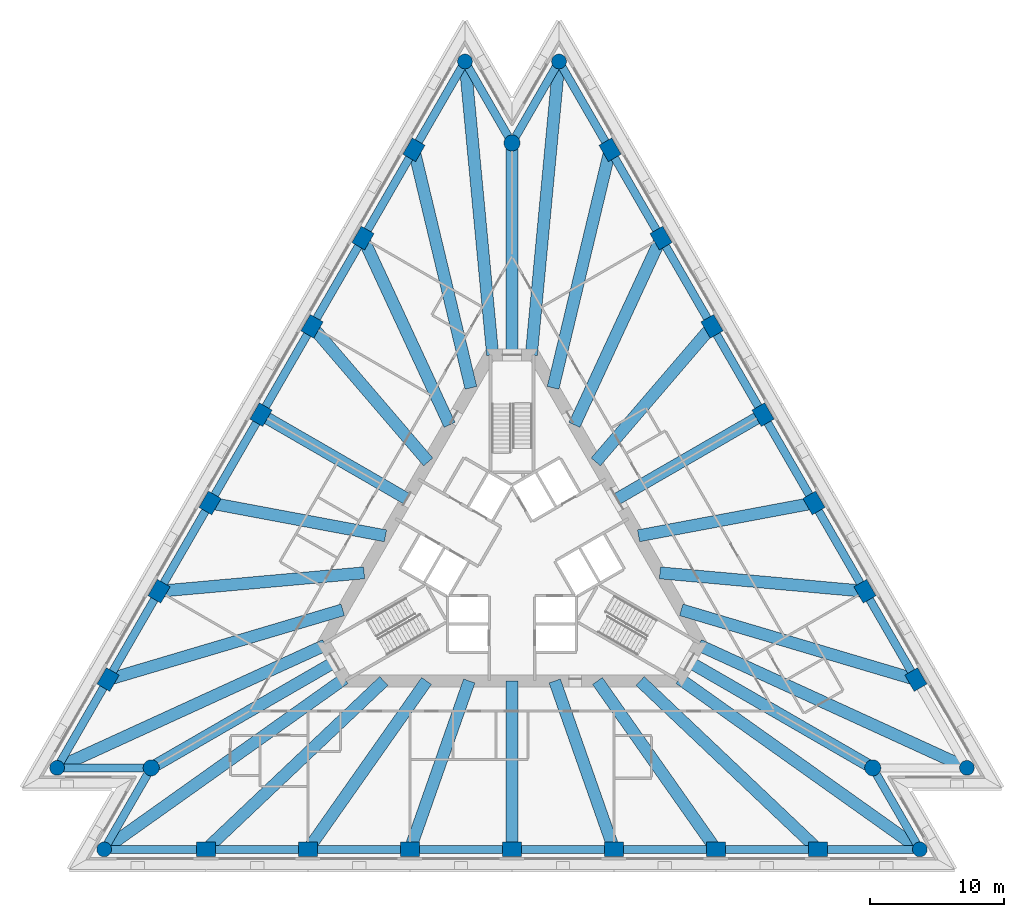
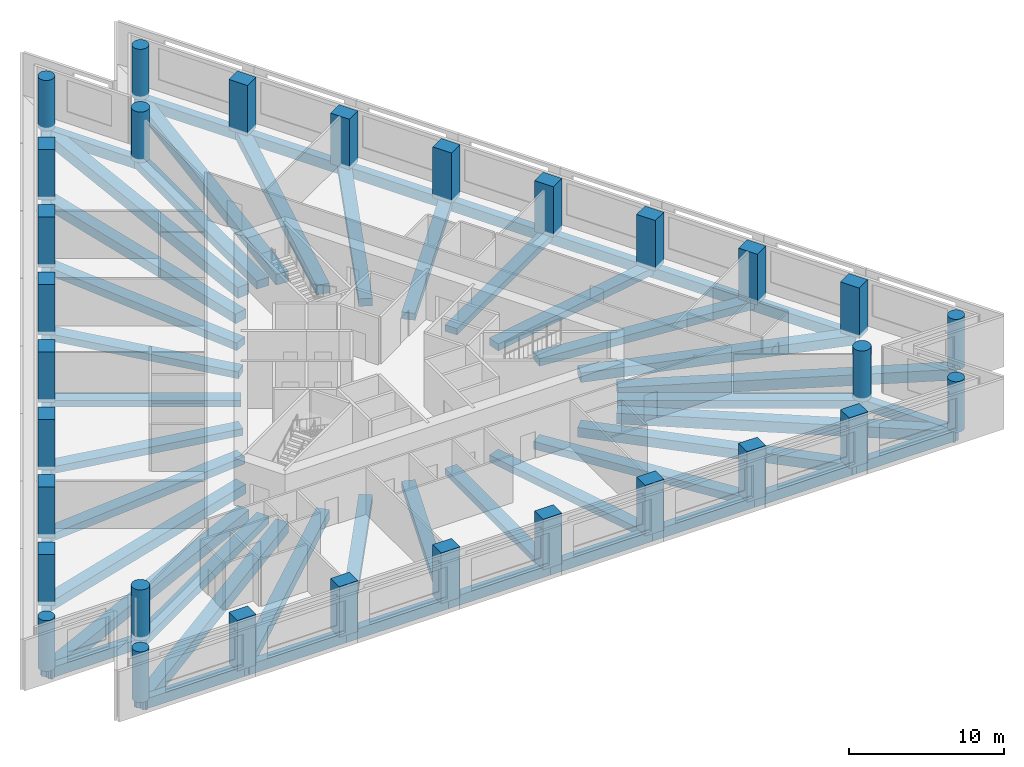
# One storey, part 1 of 11: 58 beams, 30 columns.
"""IFC4 building model written with IfcOpenShell, lengths in metres."""

from ifc_helpers import new_model, si_unit, direction, frame, origin, origin_2d, place, context, subcontext, project, spatial, rectangle, circle, extrude, material, material_profile, profile_set, type_object, element, save


model = new_model("IFC4")

# Units and contexts
model_context = context("Model", 3, precision=1e-05, world=origin(), true_north=direction((0.0, 1.0)))
body_context = subcontext(model_context, "Body", "Model", "MODEL_VIEW")
ifc_project = project(units=[si_unit("LENGTHUNIT", "METRE"), si_unit("AREAUNIT", "SQUARE_METRE"), si_unit("VOLUMEUNIT", "CUBIC_METRE"), si_unit("PLANEANGLEUNIT", "RADIAN"), si_unit("MASSUNIT", "GRAM", prefix="KILO")], contexts=[model_context])

# Site, building, storey
site_placement = place(None, origin())
site = spatial("IfcSite", under=ifc_project, at=site_placement, CompositionType="ELEMENT")
building_placement = place(site_placement, origin())
building = spatial("IfcBuilding", under=site, at=building_placement, Name="Triada Interchange Tower", CompositionType="ELEMENT")
storey_placement = place(building_placement, frame((0.0, 0.0, 35.300048828125)))
storey = spatial("IfcBuildingStorey", under=building, at=storey_placement, Name="L06", CompositionType="ELEMENT", Elevation=35.300048828125)

# Columns
ifc_material_1 = material(Name="Concrete C70/85", Category="concrete")
ifc_material_profile_1 = material_profile(ifc_material_1, rectangle(XDim=1.39990234375, YDim=1.10009765625, at=origin_2d()), Name="RC 1400x1100")
ifc_profile_set_1 = profile_set([ifc_material_profile_1], Name="Concrete C70/85")
column_type_1 = type_object("IfcColumnType", Name="Column A face RC 1400x1100", PredefinedType="COLUMN", material=ifc_profile_set_1)
for number, where, z_axis, x_axis, name in (
    (1, (-7.306884765625, 30.5439453125, -0.300048828125), (0.0, 0.0, 1.0), (0.5, 0.866025403784, 0.0), "Column CA02 L06"),
    (2, (-11.10595703125, 23.9619140625, -0.300048828125), (0.0, 0.0, 1.0), (0.5, 0.866025403784, 0.0), "Column CA03 L06"),
    (3, (-14.906005859375, 17.381103515625, -0.300048828125), (0.0, 0.0, 1.0), (0.5, 0.866025403784, 0.0), "Column CA04 L06"),
    (4, (-18.7060546875, 10.800048828125, -0.300048828125), (0.0, 0.0, 1.0), (0.5, 0.866025403784, 0.0), "Column CA05 L06"),
    (5, (-22.506103515625, 4.218994140625, -0.300048828125), (0.0, 0.0, 1.0), (0.5, 0.866025403784, 0.0), "Column CA06 L06"),
    (6, (-26.305908203125, -2.362060546875, -0.300048828125), (0.0, 0.0, 1.0), (0.5, 0.866025403784, 0.0), "Column CA07 L06"),
    (7, (-30.10498046875, -8.944091796875, -0.300048828125), (0.0, 0.0, 1.0), (0.5, 0.866025403784, 0.0), "Column CA08 L06"),
    (8, (-22.798095703125, -21.60009765625, -0.300048828125), (0.0, 0.0, 1.0), (1.0, 0.0, 0.0), "Column CA11 L06"),
    (9, (-15.197998046875, -21.60009765625, -0.300048828125), (0.0, 0.0, 1.0), (1.0, 0.0, 0.0), "Column CA12 L06"),
    (10, (-7.59912109375, -21.60009765625, -0.300048828125), (0.0, 0.0, 1.0), (1.0, 0.0, 0.0), "Column CA13 L06"),
    (11, (0.0, -21.60009765625, -0.300048828125), (0.0, 0.0, 1.0), (1.0, 0.0, 0.0), "Column CA14 L06"),
    (12, (7.59912109375, -21.60009765625, -0.300048828125), (0.0, 0.0, 1.0), (1.0, 0.0, 0.0), "Column CA15 L06"),
    (13, (15.198974609375, -21.60009765625, -0.300048828125), (0.0, 0.0, 1.0), (1.0, 0.0, 0.0), "Column CA16 L06"),
    (14, (22.798095703125, -21.60009765625, -0.300048828125), (0.0, 0.0, 1.0), (1.0, 0.0, 0.0), "Column CA17 L06"),
    (15, (30.10498046875, -8.944091796875, -0.300048828125), (0.0, 0.0, 1.0), (-0.5, 0.866025403784, 0.0), "Column CA20 L06"),
    (16, (26.305908203125, -2.363037109375, -0.300048828125), (0.0, 0.0, 1.0), (-0.5, 0.866025403784, 0.0), "Column CA21 L06"),
    (17, (22.506103515625, 4.218994140625, -0.300048828125), (0.0, 0.0, 1.0), (-0.5, 0.866025403784, 0.0), "Column CA22 L06"),
    (18, (18.7060546875, 10.800048828125, -0.300048828125), (0.0, 0.0, 1.0), (-0.5, 0.866025403784, 0.0), "Column CA23 L06"),
    (19, (14.906005859375, 17.381103515625, -0.300048828125), (0.0, 0.0, 1.0), (-0.5, 0.866025403784, 0.0), "Column CA24 L06"),
    (20, (11.10595703125, 23.9619140625, -0.300048828125), (0.0, 0.0, 1.0), (-0.5, 0.866025403784, 0.0), "Column CA25 L06"),
    (21, (7.306884765625, 30.5439453125, -0.300048828125), (0.0, 0.0, 1.0), (-0.5, 0.866025403784, 0.0), "Column CA26 L06"),
):
    element("IfcColumn", number, at=place(storey_placement, frame(where, z_axis=z_axis, x_axis=x_axis)), inside=storey, type_object=column_type_1, Name=name, PredefinedType="COLUMN", context=body_context, shape_type="SweptSolid", body=[
        extrude(rectangle(XDim=1.39990234375, YDim=1.10009765625, at=origin_2d()), origin(), (0.0, 0.0, 1.0), 4.0),
    ])
ifc_material_profile_2 = material_profile(ifc_material_1, circle(Radius=0.550048828125, at=origin_2d()), Name="RC D1100")
ifc_profile_set_2 = profile_set([ifc_material_profile_2], Name="Concrete C70/85")
column_type_2 = type_object("IfcColumnType", Name="End column A RC D1100", PredefinedType="COLUMN", material=ifc_profile_set_2)
for number, where, z_axis, x_axis, name in (
    (22, (-3.507080078125, 37.125, -0.300048828125), (0.0, 0.0, 1.0), (0.5, 0.866025403784, 0.0), "Column CA01 L06"),
    (23, (-33.905029296875, -15.52490234375, -0.300048828125), (0.0, 0.0, 1.0), (0.5, 0.866025403784, 0.0), "Column CA09 L06"),
    (24, (-30.39697265625, -21.60009765625, -0.300048828125), (0.0, 0.0, 1.0), (1.0, 0.0, 0.0), "Column CA10 L06"),
    (25, (30.39697265625, -21.60009765625, -0.300048828125), (0.0, 0.0, 1.0), (1.0, 0.0, 0.0), "Column CA18 L06"),
    (26, (33.905029296875, -15.52490234375, -0.300048828125), (0.0, 0.0, 1.0), (-0.5, 0.866025403784, 0.0), "Column CA19 L06"),
    (27, (3.507080078125, 37.125, -0.300048828125), (0.0, 0.0, 1.0), (-0.5, 0.866025403784, 0.0), "Column CA27 L06"),
):
    element("IfcColumn", number, at=place(storey_placement, frame(where, z_axis=z_axis, x_axis=x_axis)), inside=storey, type_object=column_type_2, Name=name, PredefinedType="COLUMN", context=body_context, shape_type="SweptSolid", body=[
        extrude(circle(Radius=0.550048828125, at=origin_2d()), origin(), (0.0, 0.0, 1.0), 4.0),
    ])
ifc_material_profile_3 = material_profile(ifc_material_1, circle(Radius=0.60009765625, at=origin_2d()), Name="RC D1200")
ifc_profile_set_3 = profile_set([ifc_material_profile_3], Name="Concrete C70/85")
column_type_3 = type_object("IfcColumnType", Name="Mega column A RC D1200", PredefinedType="COLUMN", material=ifc_profile_set_3)
for number, where, z_axis, x_axis, name in (
    (28, (0.0, 31.050048828125, -0.300048828125), (0.0, 0.0, 1.0), (1.0, 0.0, 0.0), "Column MA1 L06"),
    (29, (-26.889892578125, -15.52490234375, -0.300048828125), (0.0, 0.0, 1.0), (1.0, 0.0, 0.0), "Column MA2 L06"),
    (30, (26.889892578125, -15.52490234375, -0.300048828125), (0.0, 0.0, 1.0), (1.0, 0.0, 0.0), "Column MA3 L06"),
):
    element("IfcColumn", number, at=place(storey_placement, frame(where, z_axis=z_axis, x_axis=x_axis)), inside=storey, type_object=column_type_3, Name=name, PredefinedType="COLUMN", context=body_context, shape_type="SweptSolid", body=[
        extrude(circle(Radius=0.60009765625, at=origin_2d()), origin(), (0.0, 0.0, 1.0), 4.0),
    ])

# Beams
ifc_material_2 = material(Name="Concrete C50/60", Category="concrete")
ifc_material_profile_4 = material_profile(ifc_material_2, rectangle(XDim=0.89990234375, YDim=0.5, at=origin_2d()), Name="RC 900x500")
ifc_profile_set_4 = profile_set([ifc_material_profile_4], Name="Concrete C50/60")
beam_type_1 = type_object("IfcBeamType", Name="Radial band beam A RC 900x500", PredefinedType="BEAM", material=ifc_profile_set_4)
beam_1_placement = place(storey_placement, frame((-18.7060546875, 10.800048828125, -0.550048828125), z_axis=(0.866030743932, -0.499990750478, 0.0), x_axis=(0.499990750478, 0.866030743932, 0.0)))
element("IfcBeam", 31, at=beam_1_placement, inside=storey, type_object=beam_type_1, Name="Radial band beam BA05 L06", PredefinedType="BEAM", context=body_context, shape_type="SweptSolid", body=[
    extrude(rectangle(XDim=0.89990234375, YDim=0.5, at=origin_2d()), origin(), (0.0, 0.0, 1.0), 12.550537109375),
])
beam_2_placement = place(storey_placement, frame((0.0, -21.60009765625, -0.550048828125), z_axis=(0.0, 1.0, 0.0), x_axis=(-1.0, 0.0, 0.0)))
element("IfcBeam", 32, at=beam_2_placement, inside=storey, type_object=beam_type_1, Name="Radial band beam BA15 L06", PredefinedType="BEAM", context=body_context, shape_type="SweptSolid", body=[
    extrude(rectangle(XDim=0.89990234375, YDim=0.5, at=origin_2d()), origin(), (0.0, 0.0, 1.0), 12.550048828125),
])
beam_3_placement = place(storey_placement, frame((18.7060546875, 10.800048828125, -0.550048828125), z_axis=(-0.866030743932, -0.499990750478, 0.0), x_axis=(0.499990750478, -0.866030743932, 0.0)))
element("IfcBeam", 33, at=beam_3_placement, inside=storey, type_object=beam_type_1, Name="Radial band beam BA25 L06", PredefinedType="BEAM", context=body_context, shape_type="SweptSolid", body=[
    extrude(rectangle(XDim=0.89990234375, YDim=0.5, at=origin_2d()), origin(), (0.0, 0.0, 1.0), 12.550537109375),
])
ifc_material_profile_5 = material_profile(ifc_material_2, rectangle(XDim=0.89990234375, YDim=0.550048828125, at=origin_2d()), Name="RC 900x550")
ifc_profile_set_5 = profile_set([ifc_material_profile_5], Name="Concrete C50/60")
beam_type_2 = type_object("IfcBeamType", Name="Radial band beam A RC 900x550", PredefinedType="BEAM", material=ifc_profile_set_5)
beam_4_placement = place(storey_placement, frame((-14.906005859375, 17.381103515625, -0.574951171875), z_axis=(0.650986299773, -0.75908947925, 0.0), x_axis=(0.75908947925, 0.650986299773, 0.0)))
element("IfcBeam", 34, at=beam_4_placement, inside=storey, type_object=beam_type_2, Name="Radial band beam BA04 L06", PredefinedType="BEAM", context=body_context, shape_type="SweptSolid", body=[
    extrude(rectangle(XDim=0.89990234375, YDim=0.550048828125, at=origin_2d()), origin(), (0.0, 0.0, 1.0), 13.30419921875),
])
for number, where, z_axis, x_axis, name in (
    (35, (-22.506103515625, 4.218994140625, -0.574951171875), (0.982883818868, -0.184226487259, 0.0), (0.184226487259, 0.982883818868, 0.0), "Radial band beam BA06 L06"),
    (36, (-7.59912109375, -21.60009765625, -0.574951171875), (0.33185813028, 0.943329306959, 0.0), (-0.943329306959, 0.33185813028, 0.0), "Radial band beam BA14 L06"),
    (37, (7.59912109375, -21.60009765625, -0.574951171875), (-0.33185813028, 0.943329306959, 0.0), (-0.943329306959, -0.33185813028, 0.0), "Radial band beam BA16 L06"),
    (38, (22.506103515625, 4.218994140625, -0.574951171875), (-0.982883818868, -0.184226487259, 0.0), (0.184226487259, -0.982883818868, 0.0), "Radial band beam BA24 L06"),
):
    element("IfcBeam", number, at=place(storey_placement, frame(where, z_axis=z_axis, x_axis=x_axis)), inside=storey, type_object=beam_type_2, Name=name, PredefinedType="BEAM", context=body_context, shape_type="SweptSolid", body=[
        extrude(rectangle(XDim=0.89990234375, YDim=0.550048828125, at=origin_2d()), origin(), (0.0, 0.0, 1.0), 13.303955078125),
    ])
beam_5_placement = place(storey_placement, frame((14.906005859375, 17.381103515625, -0.574951171875), z_axis=(-0.650986299773, -0.75908947925, 0.0), x_axis=(0.75908947925, -0.650986299773, 0.0)))
element("IfcBeam", 39, at=beam_5_placement, inside=storey, type_object=beam_type_2, Name="Radial band beam BA26 L06", PredefinedType="BEAM", context=body_context, shape_type="SweptSolid", body=[
    extrude(rectangle(XDim=0.89990234375, YDim=0.550048828125, at=origin_2d()), origin(), (0.0, 0.0, 1.0), 13.30419921875),
])
ifc_material_profile_6 = material_profile(ifc_material_2, rectangle(XDim=0.89990234375, YDim=0.60009765625, at=origin_2d()), Name="RC 900x600")
ifc_profile_set_6 = profile_set([ifc_material_profile_6], Name="Concrete C50/60")
beam_type_3 = type_object("IfcBeamType", Name="Radial band beam A RC 900x600", PredefinedType="BEAM", material=ifc_profile_set_6)
beam_6_placement = place(storey_placement, frame((-11.10595703125, 23.9619140625, -0.60009765625), z_axis=(0.420529694642, -0.907278775198, 0.0), x_axis=(0.907278775198, 0.420529694642, 0.0)))
element("IfcBeam", 40, at=beam_6_placement, inside=storey, type_object=beam_type_3, Name="Radial band beam BA03 L06", PredefinedType="BEAM", context=body_context, shape_type="SweptSolid", body=[
    extrude(rectangle(XDim=0.89990234375, YDim=0.60009765625, at=origin_2d()), origin(), (0.0, 0.0, 1.0), 15.3447265625),
])
beam_7_placement = place(storey_placement, frame((-26.305908203125, -2.362060546875, -0.60009765625), z_axis=(0.995994682028, 0.089412490024, 0.0), x_axis=(-0.089412490024, 0.995994682028, 0.0)))
element("IfcBeam", 41, at=beam_7_placement, inside=storey, type_object=beam_type_3, Name="Radial band beam BA07 L06", PredefinedType="BEAM", context=body_context, shape_type="SweptSolid", body=[
    extrude(rectangle(XDim=0.89990234375, YDim=0.60009765625, at=origin_2d()), origin(), (0.0, 0.0, 1.0), 15.345458984375),
])
beam_8_placement = place(storey_placement, frame((-15.197998046875, -21.60009765625, -0.60009765625), z_axis=(0.575430742672, 0.81785051225, 0.0), x_axis=(-0.81785051225, 0.575430742672, 0.0)))
element("IfcBeam", 42, at=beam_8_placement, inside=storey, type_object=beam_type_3, Name="Radial band beam BA13 L06", PredefinedType="BEAM", context=body_context, shape_type="SweptSolid", body=[
    extrude(rectangle(XDim=0.89990234375, YDim=0.60009765625, at=origin_2d()), origin(), (0.0, 0.0, 1.0), 15.34521484375),
])
beam_9_placement = place(storey_placement, frame((15.198974609375, -21.60009765625, -0.60009765625), z_axis=(-0.575473307665, 0.817820562327, 0.0), x_axis=(-0.817820562327, -0.575473307665, 0.0)))
element("IfcBeam", 43, at=beam_9_placement, inside=storey, type_object=beam_type_3, Name="Radial band beam BA17 L06", PredefinedType="BEAM", context=body_context, shape_type="SweptSolid", body=[
    extrude(rectangle(XDim=0.89990234375, YDim=0.60009765625, at=origin_2d()), origin(), (0.0, 0.0, 1.0), 15.345703125),
])
beam_10_placement = place(storey_placement, frame((26.305908203125, -2.363037109375, -0.60009765625), z_axis=(-0.995989012748, 0.089475619502, 0.0), x_axis=(-0.089475619502, -0.995989012748, 0.0)))
element("IfcBeam", 44, at=beam_10_placement, inside=storey, type_object=beam_type_3, Name="Radial band beam BA23 L06", PredefinedType="BEAM", context=body_context, shape_type="SweptSolid", body=[
    extrude(rectangle(XDim=0.89990234375, YDim=0.60009765625, at=origin_2d()), origin(), (0.0, 0.0, 1.0), 15.345458984375),
])
beam_11_placement = place(storey_placement, frame((11.10595703125, 23.9619140625, -0.60009765625), z_axis=(-0.420529694642, -0.907278775198, 0.0), x_axis=(0.907278775198, -0.420529694642, 0.0)))
element("IfcBeam", 45, at=beam_11_placement, inside=storey, type_object=beam_type_3, Name="Radial band beam BA27 L06", PredefinedType="BEAM", context=body_context, shape_type="SweptSolid", body=[
    extrude(rectangle(XDim=0.89990234375, YDim=0.60009765625, at=origin_2d()), origin(), (0.0, 0.0, 1.0), 15.3447265625),
])
ifc_material_profile_7 = material_profile(ifc_material_2, rectangle(XDim=0.89990234375, YDim=0.64990234375, at=origin_2d()), Name="RC 900x650")
ifc_profile_set_7 = profile_set([ifc_material_profile_7], Name="Concrete C50/60")
beam_type_4 = type_object("IfcBeamType", Name="Radial band beam A RC 900x650", PredefinedType="BEAM", material=ifc_profile_set_7)
for number, where, z_axis, x_axis, name in (
    (46, (-26.889892578125, -15.52490234375, -0.625), (0.866022699503, 0.500004683924, 0.0), (-0.500004683924, 0.866022699503, 0.0), "Radial band beam BA10 L06"),
    (47, (26.889892578125, -15.52490234375, -0.625), (-0.866022699503, 0.500004683924, 0.0), (-0.500004683924, -0.866022699503, 0.0), "Radial band beam BA20 L06"),
):
    element("IfcBeam", number, at=place(storey_placement, frame(where, z_axis=z_axis, x_axis=x_axis)), inside=storey, type_object=beam_type_4, Name=name, PredefinedType="BEAM", context=body_context, shape_type="SweptSolid", body=[
        extrude(rectangle(XDim=0.89990234375, YDim=0.64990234375, at=origin_2d()), origin(), (0.0, 0.0, 1.0), 15.799560546875),
    ])
beam_12_placement = place(storey_placement, frame((0.0, 31.050048828125, -0.625), z_axis=(0.0, -1.0, 0.0), x_axis=(1.0, 0.0, 0.0)))
element("IfcBeam", 48, at=beam_12_placement, inside=storey, type_object=beam_type_4, Name="Radial band beam BA30 L06", PredefinedType="BEAM", context=body_context, shape_type="SweptSolid", body=[
    extrude(rectangle(XDim=0.89990234375, YDim=0.64990234375, at=origin_2d()), origin(), (0.0, 0.0, 1.0), 15.800048828125),
])
ifc_material_profile_8 = material_profile(ifc_material_2, rectangle(XDim=0.89990234375, YDim=0.75, at=origin_2d()), Name="RC 900x750")
ifc_profile_set_8 = profile_set([ifc_material_profile_8], Name="Concrete C50/60")
beam_type_5 = type_object("IfcBeamType", Name="Radial band beam A RC 900x750", PredefinedType="BEAM", material=ifc_profile_set_8)
beam_13_placement = place(storey_placement, frame((-7.306884765625, 30.5439453125, -0.675048828125), z_axis=(0.232679133669, -0.972553556754, 0.0), x_axis=(0.972553556754, 0.232679133669, 0.0)))
element("IfcBeam", 49, at=beam_13_placement, inside=storey, type_object=beam_type_5, Name="Radial band beam BA02 L06", PredefinedType="BEAM", context=body_context, shape_type="SweptSolid", body=[
    extrude(rectangle(XDim=0.89990234375, YDim=0.75, at=origin_2d()), origin(), (0.0, 0.0, 1.0), 18.24755859375),
])
beam_14_placement = place(storey_placement, frame((-30.10498046875, -8.944091796875, -0.675048828125), z_axis=(0.958595800854, 0.284770241748, 0.0), x_axis=(-0.284770241748, 0.958595800854, 0.0)))
element("IfcBeam", 50, at=beam_14_placement, inside=storey, type_object=beam_type_5, Name="Radial band beam BA08 L06", PredefinedType="BEAM", context=body_context, shape_type="SweptSolid", body=[
    extrude(rectangle(XDim=0.89990234375, YDim=0.75, at=origin_2d()), origin(), (0.0, 0.0, 1.0), 18.246337890625),
])
for number, where, z_axis, x_axis, name in (
    (51, (-22.798095703125, -21.60009765625, -0.675048828125), (0.725922095727, 0.687776933995, 0.0), (-0.687776933995, 0.725922095727, 0.0), "Radial band beam BA12 L06"),
    (52, (22.798095703125, -21.60009765625, -0.675048828125), (-0.725922095727, 0.687776933995, 0.0), (-0.687776933995, -0.725922095727, 0.0), "Radial band beam BA18 L06"),
):
    element("IfcBeam", number, at=place(storey_placement, frame(where, z_axis=z_axis, x_axis=x_axis)), inside=storey, type_object=beam_type_5, Name=name, PredefinedType="BEAM", context=body_context, shape_type="SweptSolid", body=[
        extrude(rectangle(XDim=0.89990234375, YDim=0.75, at=origin_2d()), origin(), (0.0, 0.0, 1.0), 18.247314453125),
    ])
beam_15_placement = place(storey_placement, frame((30.10498046875, -8.944091796875, -0.675048828125), z_axis=(-0.958595800854, 0.284770241748, 0.0), x_axis=(-0.284770241748, -0.958595800854, 0.0)))
element("IfcBeam", 53, at=beam_15_placement, inside=storey, type_object=beam_type_5, Name="Radial band beam BA22 L06", PredefinedType="BEAM", context=body_context, shape_type="SweptSolid", body=[
    extrude(rectangle(XDim=0.89990234375, YDim=0.75, at=origin_2d()), origin(), (0.0, 0.0, 1.0), 18.246337890625),
])
beam_16_placement = place(storey_placement, frame((7.306884765625, 30.5439453125, -0.675048828125), z_axis=(-0.232679133669, -0.972553556754, 0.0), x_axis=(0.972553556754, -0.232679133669, 0.0)))
element("IfcBeam", 54, at=beam_16_placement, inside=storey, type_object=beam_type_5, Name="Radial band beam BA28 L06", PredefinedType="BEAM", context=body_context, shape_type="SweptSolid", body=[
    extrude(rectangle(XDim=0.89990234375, YDim=0.75, at=origin_2d()), origin(), (0.0, 0.0, 1.0), 18.24755859375),
])
ifc_material_profile_9 = material_profile(ifc_material_2, rectangle(XDim=0.89990234375, YDim=0.85009765625, at=origin_2d()), Name="RC 900x850")
ifc_profile_set_9 = profile_set([ifc_material_profile_9], Name="Concrete C50/60")
beam_type_6 = type_object("IfcBeamType", Name="Radial band beam A RC 900x850", PredefinedType="BEAM", material=ifc_profile_set_9)
beam_17_placement = place(storey_placement, frame((-3.507080078125, 37.125, -0.72509765625), z_axis=(0.094034596604, -0.995568930131, 0.0), x_axis=(0.995568930131, 0.094034596604, 0.0)))
element("IfcBeam", 55, at=beam_17_placement, inside=storey, type_object=beam_type_6, Name="Radial band beam BA01 L06", PredefinedType="BEAM", context=body_context, shape_type="SweptSolid", body=[
    extrude(rectangle(XDim=0.89990234375, YDim=0.85009765625, at=origin_2d()), origin(), (0.0, 0.0, 1.0), 21.972412109375),
])
beam_18_placement = place(storey_placement, frame((-33.905029296875, -15.52490234375, -0.72509765625), z_axis=(0.909206110878, 0.416346307709, 0.0), x_axis=(-0.416346307709, 0.909206110878, 0.0)))
element("IfcBeam", 56, at=beam_18_placement, inside=storey, type_object=beam_type_6, Name="Radial band beam BA09 L06", PredefinedType="BEAM", context=body_context, shape_type="SweptSolid", body=[
    extrude(rectangle(XDim=0.89990234375, YDim=0.85009765625, at=origin_2d()), origin(), (0.0, 0.0, 1.0), 21.971923828125),
])
for number, where, z_axis, x_axis, name in (
    (57, (-30.39697265625, -21.60009765625, -0.72509765625), (0.815161217364, 0.579234140659, 0.0), (-0.579234140659, 0.815161217364, 0.0), "Radial band beam BA11 L06"),
    (58, (30.39697265625, -21.60009765625, -0.72509765625), (-0.815161217364, 0.579234140659, 0.0), (-0.579234140659, -0.815161217364, 0.0), "Radial band beam BA19 L06"),
):
    element("IfcBeam", number, at=place(storey_placement, frame(where, z_axis=z_axis, x_axis=x_axis)), inside=storey, type_object=beam_type_6, Name=name, PredefinedType="BEAM", context=body_context, shape_type="SweptSolid", body=[
        extrude(rectangle(XDim=0.89990234375, YDim=0.85009765625, at=origin_2d()), origin(), (0.0, 0.0, 1.0), 21.97216796875),
    ])
beam_19_placement = place(storey_placement, frame((33.905029296875, -15.52490234375, -0.72509765625), z_axis=(-0.909206110878, 0.416346307709, 0.0), x_axis=(-0.416346307709, -0.909206110878, 0.0)))
element("IfcBeam", 59, at=beam_19_placement, inside=storey, type_object=beam_type_6, Name="Radial band beam BA21 L06", PredefinedType="BEAM", context=body_context, shape_type="SweptSolid", body=[
    extrude(rectangle(XDim=0.89990234375, YDim=0.85009765625, at=origin_2d()), origin(), (0.0, 0.0, 1.0), 21.971923828125),
])
beam_20_placement = place(storey_placement, frame((3.507080078125, 37.125, -0.72509765625), z_axis=(-0.094034596604, -0.995568930131, 0.0), x_axis=(0.995568930131, -0.094034596604, 0.0)))
element("IfcBeam", 60, at=beam_20_placement, inside=storey, type_object=beam_type_6, Name="Radial band beam BA29 L06", PredefinedType="BEAM", context=body_context, shape_type="SweptSolid", body=[
    extrude(rectangle(XDim=0.89990234375, YDim=0.85009765625, at=origin_2d()), origin(), (0.0, 0.0, 1.0), 21.972412109375),
])
ifc_material_profile_10 = material_profile(ifc_material_2, rectangle(XDim=0.60009765625, YDim=0.800048828125, at=origin_2d()), Name="RC 600x800")
ifc_profile_set_10 = profile_set([ifc_material_profile_10], Name="Concrete C50/60")
beam_type_7 = type_object("IfcBeamType", Name="Spandrel beam A RC 600x800", PredefinedType="BEAM", material=ifc_profile_set_10)
beam_21_placement = place(storey_placement, frame((-3.507080078125, 37.125, -0.699951171875), z_axis=(-0.500022797313, -0.86601224135, 0.0), x_axis=(0.86601224135, -0.500022797313, 0.0)))
element("IfcBeam", 61, at=beam_21_placement, inside=storey, type_object=beam_type_7, Name="Spandrel beam EA01 L06", PredefinedType="BEAM", context=body_context, shape_type="SweptSolid", body=[
    extrude(rectangle(XDim=0.60009765625, YDim=0.800048828125, at=origin_2d()), origin(), (0.0, 0.0, 1.0), 7.599365234375),
])
beam_22_placement = place(storey_placement, frame((-7.306884765625, 30.5439453125, -0.699951171875), z_axis=(-0.499894869559, -0.866086092366, 0.0), x_axis=(0.866086092366, -0.499894869559, 0.0)))
element("IfcBeam", 62, at=beam_22_placement, inside=storey, type_object=beam_type_7, Name="Spandrel beam EA02 L06", PredefinedType="BEAM", context=body_context, shape_type="SweptSolid", body=[
    extrude(rectangle(XDim=0.60009765625, YDim=0.800048828125, at=origin_2d()), origin(), (0.0, 0.0, 1.0), 7.599853515625),
])
beam_23_placement = place(storey_placement, frame((-11.10595703125, 23.9619140625, -0.699951171875), z_axis=(-0.500060803479, -0.865990296034, 0.0), x_axis=(0.865990296034, -0.500060803479, 0.0)))
element("IfcBeam", 63, at=beam_23_placement, inside=storey, type_object=beam_type_7, Name="Spandrel beam EA03 L06", PredefinedType="BEAM", context=body_context, shape_type="SweptSolid", body=[
    extrude(rectangle(XDim=0.60009765625, YDim=0.800048828125, at=origin_2d()), origin(), (0.0, 0.0, 1.0), 7.59912109375),
])
for number, where, z_axis, x_axis, name in (
    (64, (-14.906005859375, 17.381103515625, -0.699951171875), (-0.500046891162, -0.865998329467, 0.0), (0.865998329467, -0.500046891162, 0.0), "Spandrel beam EA04 L06"),
    (65, (-18.7060546875, 10.800048828125, -0.699951171875), (-0.500046891162, -0.865998329467, 0.0), (0.865998329467, -0.500046891162, 0.0), "Spandrel beam EA05 L06"),
    (66, (-22.506103515625, 4.218994140625, -0.699951171875), (-0.500022797313, -0.86601224135, 0.0), (0.86601224135, -0.500022797313, 0.0), "Spandrel beam EA06 L06"),
):
    element("IfcBeam", number, at=place(storey_placement, frame(where, z_axis=z_axis, x_axis=x_axis)), inside=storey, type_object=beam_type_7, Name=name, PredefinedType="BEAM", context=body_context, shape_type="SweptSolid", body=[
        extrude(rectangle(XDim=0.60009765625, YDim=0.800048828125, at=origin_2d()), origin(), (0.0, 0.0, 1.0), 7.599365234375),
    ])
beam_24_placement = place(storey_placement, frame((-26.305908203125, -2.362060546875, -0.699951171875), z_axis=(-0.499894869559, -0.866086092366, 0.0), x_axis=(0.866086092366, -0.499894869559, 0.0)))
element("IfcBeam", 67, at=beam_24_placement, inside=storey, type_object=beam_type_7, Name="Spandrel beam EA07 L06", PredefinedType="BEAM", context=body_context, shape_type="SweptSolid", body=[
    extrude(rectangle(XDim=0.60009765625, YDim=0.800048828125, at=origin_2d()), origin(), (0.0, 0.0, 1.0), 7.599853515625),
])
beam_25_placement = place(storey_placement, frame((-30.10498046875, -8.944091796875, -0.699951171875), z_axis=(-0.500060803479, -0.865990296034, 0.0), x_axis=(0.865990296034, -0.500060803479, 0.0)))
element("IfcBeam", 68, at=beam_25_placement, inside=storey, type_object=beam_type_7, Name="Spandrel beam EA08 L06", PredefinedType="BEAM", context=body_context, shape_type="SweptSolid", body=[
    extrude(rectangle(XDim=0.60009765625, YDim=0.800048828125, at=origin_2d()), origin(), (0.0, 0.0, 1.0), 7.59912109375),
])
beam_26_placement = place(storey_placement, frame((-33.905029296875, -15.52490234375, -0.699951171875), z_axis=(1.0, 0.0, 0.0), x_axis=(0.0, 1.0, 0.0)))
element("IfcBeam", 69, at=beam_26_placement, inside=storey, type_object=beam_type_7, Name="Spandrel beam EA09 L06", PredefinedType="BEAM", context=body_context, shape_type="SweptSolid", body=[
    extrude(rectangle(XDim=0.60009765625, YDim=0.800048828125, at=origin_2d()), origin(), (0.0, 0.0, 1.0), 7.01513671875),
])
beam_27_placement = place(storey_placement, frame((-26.889892578125, -15.52490234375, -0.699951171875), z_axis=(-0.499953429515, -0.866052289597, 0.0), x_axis=(0.866052289597, -0.499953429515, 0.0)))
element("IfcBeam", 70, at=beam_27_placement, inside=storey, type_object=beam_type_7, Name="Spandrel beam EA10 L06", PredefinedType="BEAM", context=body_context, shape_type="SweptSolid", body=[
    extrude(rectangle(XDim=0.60009765625, YDim=0.800048828125, at=origin_2d()), origin(), (0.0, 0.0, 1.0), 7.014892578125),
])
beam_28_placement = place(storey_placement, frame((-30.39697265625, -21.60009765625, -0.699951171875), z_axis=(1.0, 0.0, 0.0), x_axis=(0.0, 1.0, 0.0)))
element("IfcBeam", 71, at=beam_28_placement, inside=storey, type_object=beam_type_7, Name="Spandrel beam EA11 L06", PredefinedType="BEAM", context=body_context, shape_type="SweptSolid", body=[
    extrude(rectangle(XDim=0.60009765625, YDim=0.800048828125, at=origin_2d()), origin(), (0.0, 0.0, 1.0), 7.598876953125),
])
beam_29_placement = place(storey_placement, frame((-22.798095703125, -21.60009765625, -0.699951171875), z_axis=(1.0, 0.0, 0.0), x_axis=(0.0, 1.0, 0.0)))
element("IfcBeam", 72, at=beam_29_placement, inside=storey, type_object=beam_type_7, Name="Spandrel beam EA12 L06", PredefinedType="BEAM", context=body_context, shape_type="SweptSolid", body=[
    extrude(rectangle(XDim=0.60009765625, YDim=0.800048828125, at=origin_2d()), origin(), (0.0, 0.0, 1.0), 7.60009765625),
])
beam_30_placement = place(storey_placement, frame((-15.197998046875, -21.60009765625, -0.699951171875), z_axis=(1.0, 0.0, 0.0), x_axis=(0.0, 1.0, 0.0)))
element("IfcBeam", 73, at=beam_30_placement, inside=storey, type_object=beam_type_7, Name="Spandrel beam EA13 L06", PredefinedType="BEAM", context=body_context, shape_type="SweptSolid", body=[
    extrude(rectangle(XDim=0.60009765625, YDim=0.800048828125, at=origin_2d()), origin(), (0.0, 0.0, 1.0), 7.598876953125),
])
for number, where, z_axis, x_axis, name in (
    (74, (-7.59912109375, -21.60009765625, -0.699951171875), (1.0, 0.0, 0.0), (0.0, 1.0, 0.0), "Spandrel beam EA14 L06"),
    (75, (0.0, -21.60009765625, -0.699951171875), (1.0, 0.0, 0.0), (0.0, 1.0, 0.0), "Spandrel beam EA15 L06"),
):
    element("IfcBeam", number, at=place(storey_placement, frame(where, z_axis=z_axis, x_axis=x_axis)), inside=storey, type_object=beam_type_7, Name=name, PredefinedType="BEAM", context=body_context, shape_type="SweptSolid", body=[
        extrude(rectangle(XDim=0.60009765625, YDim=0.800048828125, at=origin_2d()), origin(), (0.0, 0.0, 1.0), 7.59912109375),
    ])
beam_31_placement = place(storey_placement, frame((7.59912109375, -21.60009765625, -0.699951171875), z_axis=(1.0, 0.0, 0.0), x_axis=(0.0, 1.0, 0.0)))
element("IfcBeam", 76, at=beam_31_placement, inside=storey, type_object=beam_type_7, Name="Spandrel beam EA16 L06", PredefinedType="BEAM", context=body_context, shape_type="SweptSolid", body=[
    extrude(rectangle(XDim=0.60009765625, YDim=0.800048828125, at=origin_2d()), origin(), (0.0, 0.0, 1.0), 7.599853515625),
])
beam_32_placement = place(storey_placement, frame((15.198974609375, -21.60009765625, -0.699951171875), z_axis=(1.0, 0.0, 0.0), x_axis=(0.0, 1.0, 0.0)))
element("IfcBeam", 77, at=beam_32_placement, inside=storey, type_object=beam_type_7, Name="Spandrel beam EA17 L06", PredefinedType="BEAM", context=body_context, shape_type="SweptSolid", body=[
    extrude(rectangle(XDim=0.60009765625, YDim=0.800048828125, at=origin_2d()), origin(), (0.0, 0.0, 1.0), 7.59912109375),
])
beam_33_placement = place(storey_placement, frame((22.798095703125, -21.60009765625, -0.699951171875), z_axis=(1.0, 0.0, 0.0), x_axis=(0.0, 1.0, 0.0)))
element("IfcBeam", 78, at=beam_33_placement, inside=storey, type_object=beam_type_7, Name="Spandrel beam EA18 L06", PredefinedType="BEAM", context=body_context, shape_type="SweptSolid", body=[
    extrude(rectangle(XDim=0.60009765625, YDim=0.800048828125, at=origin_2d()), origin(), (0.0, 0.0, 1.0), 7.598876953125),
])
beam_34_placement = place(storey_placement, frame((30.39697265625, -21.60009765625, -0.699951171875), z_axis=(-0.499953429515, 0.866052289597, 0.0), x_axis=(-0.866052289597, -0.499953429515, 0.0)))
element("IfcBeam", 79, at=beam_34_placement, inside=storey, type_object=beam_type_7, Name="Spandrel beam EA19 L06", PredefinedType="BEAM", context=body_context, shape_type="SweptSolid", body=[
    extrude(rectangle(XDim=0.60009765625, YDim=0.800048828125, at=origin_2d()), origin(), (0.0, 0.0, 1.0), 7.014892578125),
])
beam_35_placement = place(storey_placement, frame((30.10498046875, -8.944091796875, -0.699951171875), z_axis=(-0.499950508799, 0.866053975657, 0.0), x_axis=(-0.866053975657, -0.499950508799, 0.0)))
element("IfcBeam", 80, at=beam_35_placement, inside=storey, type_object=beam_type_7, Name="Spandrel beam EA22 L06", PredefinedType="BEAM", context=body_context, shape_type="SweptSolid", body=[
    extrude(rectangle(XDim=0.60009765625, YDim=0.800048828125, at=origin_2d()), origin(), (0.0, 0.0, 1.0), 7.598876953125),
])
beam_36_placement = place(storey_placement, frame((26.305908203125, -2.363037109375, -0.699951171875), z_axis=(-0.499967155389, 0.866044365799, 0.0), x_axis=(-0.866044365799, -0.499967155389, 0.0)))
element("IfcBeam", 81, at=beam_36_placement, inside=storey, type_object=beam_type_7, Name="Spandrel beam EA23 L06", PredefinedType="BEAM", context=body_context, shape_type="SweptSolid", body=[
    extrude(rectangle(XDim=0.60009765625, YDim=0.800048828125, at=origin_2d()), origin(), (0.0, 0.0, 1.0), 7.60009765625),
])
for number, where, z_axis, x_axis, name in (
    (82, (22.506103515625, 4.218994140625, -0.699951171875), (-0.500046891162, 0.865998329467, 0.0), (-0.865998329467, -0.500046891162, 0.0), "Spandrel beam EA24 L06"),
    (83, (18.7060546875, 10.800048828125, -0.699951171875), (-0.500046891162, 0.865998329467, 0.0), (-0.865998329467, -0.500046891162, 0.0), "Spandrel beam EA25 L06"),
):
    element("IfcBeam", number, at=place(storey_placement, frame(where, z_axis=z_axis, x_axis=x_axis)), inside=storey, type_object=beam_type_7, Name=name, PredefinedType="BEAM", context=body_context, shape_type="SweptSolid", body=[
        extrude(rectangle(XDim=0.60009765625, YDim=0.800048828125, at=origin_2d()), origin(), (0.0, 0.0, 1.0), 7.599365234375),
    ])
beam_37_placement = place(storey_placement, frame((14.906005859375, 17.381103515625, -0.699951171875), z_axis=(-0.500060803479, 0.865990296034, 0.0), x_axis=(-0.865990296034, -0.500060803479, 0.0)))
element("IfcBeam", 84, at=beam_37_placement, inside=storey, type_object=beam_type_7, Name="Spandrel beam EA26 L06", PredefinedType="BEAM", context=body_context, shape_type="SweptSolid", body=[
    extrude(rectangle(XDim=0.60009765625, YDim=0.800048828125, at=origin_2d()), origin(), (0.0, 0.0, 1.0), 7.59912109375),
])
beam_38_placement = place(storey_placement, frame((11.10595703125, 23.9619140625, -0.699951171875), z_axis=(-0.499894869559, 0.866086092366, 0.0), x_axis=(-0.866086092366, -0.499894869559, 0.0)))
element("IfcBeam", 85, at=beam_38_placement, inside=storey, type_object=beam_type_7, Name="Spandrel beam EA27 L06", PredefinedType="BEAM", context=body_context, shape_type="SweptSolid", body=[
    extrude(rectangle(XDim=0.60009765625, YDim=0.800048828125, at=origin_2d()), origin(), (0.0, 0.0, 1.0), 7.599853515625),
])
beam_39_placement = place(storey_placement, frame((7.306884765625, 30.5439453125, -0.699951171875), z_axis=(-0.500022797313, 0.86601224135, 0.0), x_axis=(-0.86601224135, -0.500022797313, 0.0)))
element("IfcBeam", 86, at=beam_39_placement, inside=storey, type_object=beam_type_7, Name="Spandrel beam EA28 L06", PredefinedType="BEAM", context=body_context, shape_type="SweptSolid", body=[
    extrude(rectangle(XDim=0.60009765625, YDim=0.800048828125, at=origin_2d()), origin(), (0.0, 0.0, 1.0), 7.599365234375),
])
for number, where, z_axis, x_axis, name in (
    (87, (3.507080078125, 37.125, -0.699951171875), (-0.49996849935, -0.866043589929, 0.0), (0.866043589929, -0.49996849935, 0.0), "Spandrel beam EA29 L06"),
    (88, (0.0, 31.050048828125, -0.699951171875), (-0.49996849935, 0.866043589929, 0.0), (-0.866043589929, -0.49996849935, 0.0), "Spandrel beam EA30 L06"),
):
    element("IfcBeam", number, at=place(storey_placement, frame(where, z_axis=z_axis, x_axis=x_axis)), inside=storey, type_object=beam_type_7, Name=name, PredefinedType="BEAM", context=body_context, shape_type="SweptSolid", body=[
        extrude(rectangle(XDim=0.60009765625, YDim=0.800048828125, at=origin_2d()), origin(), (0.0, 0.0, 1.0), 7.0146484375),
    ])

save(model, "model.ifc")
